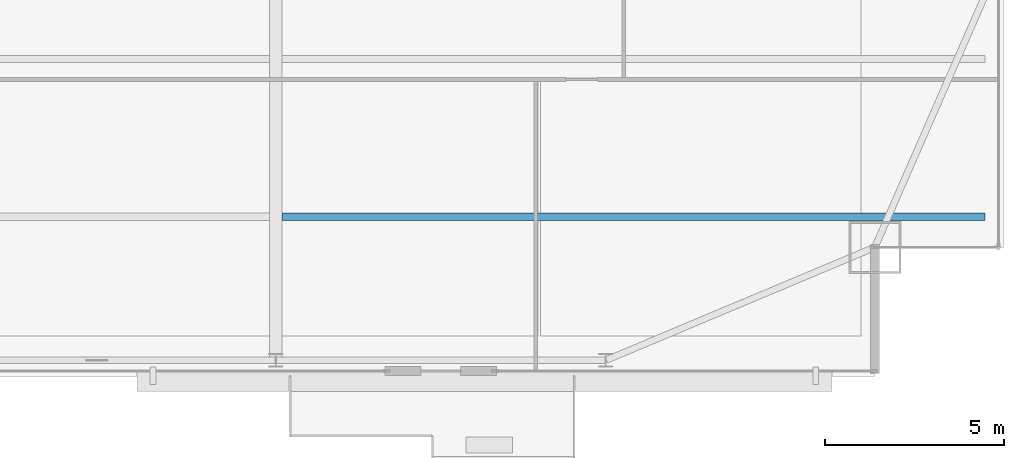
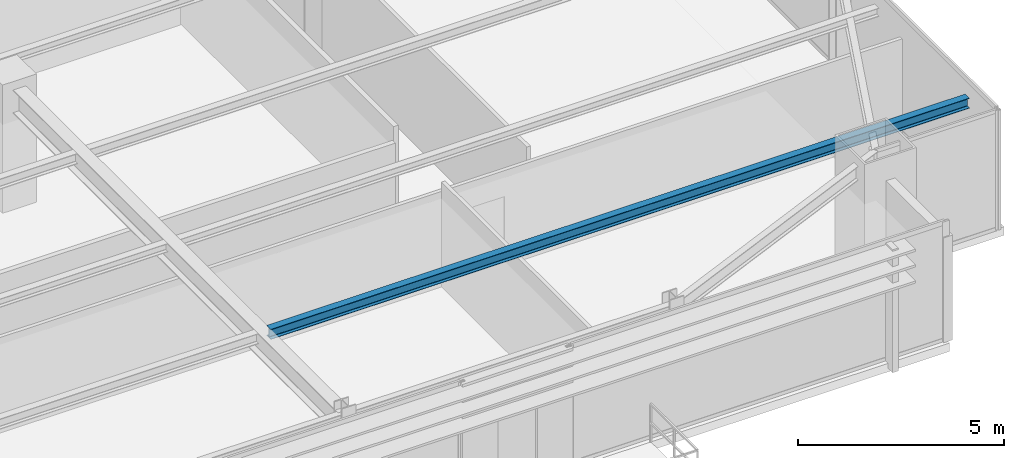
# One storey, part 15 of 34: 1 beam.
"""IFC4 building model written with IfcOpenShell, lengths in metres."""

import ifcopenshell
import ifcopenshell.guid

model = None  # the IFC model being written
_history = None  # IfcOwnerHistory: only IFC2X3 demands one
_inside = {}  # id of a spatial element -> (the spatial element, [elements in it])
_under = {}  # id of a project, library or spatial element -> (it, [spatial elements below it])
_declared = {}  # id of a project -> (the project, [libraries it declares])
_typed = {}  # id of a type object -> (the type object, [elements of that type])
_made_of = {}  # id of a material, layer set ... -> (it, [elements and type objects made of it])


def new_model(schema):
    """Start an empty IFC model of exactly this schema.

    Asked for "IFC4X3", IfcOpenShell would pick the latest addendum, in which some entities
    have other attributes; the version numbers below select the first issue.
    IFC2X3 requires an IfcOwnerHistory on every rooted entity: one is made here for all.
    """
    global model, _history
    if schema == "IFC4X3":
        model = ifcopenshell.file(schema_version=(4, 3, 0, 0))
    else:
        model = ifcopenshell.file(schema=schema)
    _inside.clear()
    _under.clear()
    _declared.clear()
    _typed.clear()
    _made_of.clear()
    _history = None
    if model.schema == "IFC2X3":
        org = make("IfcOrganization", Name="unknown")
        user = make(
            "IfcPersonAndOrganization",
            ThePerson=make("IfcPerson", FamilyName="unknown"),
            TheOrganization=org,
        )
        app = make(
            "IfcApplication",
            ApplicationDeveloper=org,
            Version="unknown",
            ApplicationFullName="unknown",
            ApplicationIdentifier="unknown",
        )
        _history = make(
            "IfcOwnerHistory",
            OwningUser=user,
            OwningApplication=app,
            ChangeAction="ADDED",
            CreationDate=0,
        )
    return model


def make(cls, **values):
    """One entity of the class cls with the attributes given. An attribute that is None is left unset."""
    return model.create_entity(
        cls, **{name: value for name, value in values.items() if value is not None}
    )


def rooted(cls, **values):
    """An entity with a GlobalId (a new one), such as an element, a storey or a relation."""
    return make(cls, GlobalId=ifcopenshell.guid.new(), OwnerHistory=_history, **values)


def si_unit(unit_type, name, prefix=None):
    """IfcSIUnit, for example si_unit("LENGTHUNIT", "METRE", prefix="MILLI")."""
    return make("IfcSIUnit", UnitType=unit_type, Prefix=prefix, Name=name)


def assignment(units):
    """IfcUnitAssignment: the units of a project."""
    return None if units is None else make("IfcUnitAssignment", Units=units)


def point(xyz):
    """IfcCartesianPoint."""
    return None if xyz is None else make("IfcCartesianPoint", Coordinates=xyz)


def direction(xyz):
    """IfcDirection."""
    return None if xyz is None else make("IfcDirection", DirectionRatios=xyz)


def frame(location, z_axis=None, x_axis=None):
    """IfcAxis2Placement3D, a coordinate frame: its origin and axes. An axis left out is left unset."""
    return make(
        "IfcAxis2Placement3D",
        Location=point(location),
        Axis=direction(z_axis),
        RefDirection=direction(x_axis),
    )


def frame_2d(location, x_axis=None):
    """IfcAxis2Placement2D, a coordinate frame in the plane: its origin and x axis."""
    return make(
        "IfcAxis2Placement2D", Location=point(location), RefDirection=direction(x_axis)
    )


def origin():
    """The frame at (0, 0, 0) with its axes left unset."""
    return frame((0.0, 0.0, 0.0))


def origin_2d():
    """The frame at (0, 0) in the plane with its x axis left unset."""
    return frame_2d((0.0, 0.0))


def place(relative_to, where):
    """IfcLocalPlacement: puts the frame where relative to a parent placement (None: the world)."""
    return make(
        "IfcLocalPlacement", PlacementRelTo=relative_to, RelativePlacement=where
    )


def context(
    kind, dimensions, precision=None, world=None, true_north=None, identifier=None
):
    """IfcGeometricRepresentationContext, for example the 3D "Model" context."""
    return make(
        "IfcGeometricRepresentationContext",
        ContextIdentifier=identifier,
        ContextType=kind,
        CoordinateSpaceDimension=dimensions,
        Precision=precision,
        WorldCoordinateSystem=world,
        TrueNorth=true_north,
    )


def subcontext(parent, identifier, kind, view, scale=None):
    """IfcGeometricRepresentationSubContext, for example "Body" below "Model"."""
    return make(
        "IfcGeometricRepresentationSubContext",
        ContextIdentifier=identifier,
        ContextType=kind,
        ParentContext=parent,
        TargetScale=scale,
        TargetView=view,
    )


def project(units=None, contexts=None):
    """IfcProject with its units and contexts."""
    return rooted(
        "IfcProject",
        Name="project",
        RepresentationContexts=contexts,
        UnitsInContext=assignment(units),
    )


def spatial(cls, under=None, at=None, **own):
    """A site, building, storey or space (cls), placed at a placement, below another one or the project."""
    s = rooted(cls, ObjectPlacement=at, **own)
    if under is not None:
        _under.setdefault(under.id(), (under, []))[1].append(s)
    return s


def profile(cls, at=None, kind="AREA", **sizes):
    """A parametric profile (cls). Its sizes go by their IFC names, for example OverallWidth=200.0."""
    return make(cls, ProfileType=kind, Position=at, **sizes)


def i_section(**sizes):
    """IfcIShapeProfileDef."""
    return profile("IfcIShapeProfileDef", **sizes)


def extrude(swept, where, along, depth):
    """IfcExtrudedAreaSolid: the profile swept, set in the frame where, extruded along a direction by depth."""
    return make(
        "IfcExtrudedAreaSolid",
        SweptArea=swept,
        Position=where,
        ExtrudedDirection=direction(along),
        Depth=depth,
    )


def shape(context_of_items, identifier, shape_type, items):
    """IfcShapeRepresentation: the items that make up one representation, for example the "Body"."""
    return make(
        "IfcShapeRepresentation",
        ContextOfItems=context_of_items,
        RepresentationIdentifier=identifier,
        RepresentationType=shape_type,
        Items=items,
    )


def source(mapping_origin, context_of_items, identifier, shape_type, items):
    """IfcRepresentationMap: a shape defined once, which mapped items show again and again."""
    return make(
        "IfcRepresentationMap",
        MappingOrigin=mapping_origin,
        MappedRepresentation=shape(context_of_items, identifier, shape_type, items),
    )


def transform(
    local_origin,
    x_axis=None,
    y_axis=None,
    z_axis=None,
    scale=None,
    scale2=None,
    scale3=None,
    uniform=True,
):
    """IfcCartesianTransformationOperator3D, or its non-uniform kind. x_axis, y_axis, z_axis: its Axis1, 2, 3."""
    if uniform:
        return make(
            "IfcCartesianTransformationOperator3D",
            Axis1=direction(x_axis),
            Axis2=direction(y_axis),
            LocalOrigin=point(local_origin),
            Scale=scale,
            Axis3=direction(z_axis),
        )
    return make(
        "IfcCartesianTransformationOperator3DnonUniform",
        Axis1=direction(x_axis),
        Axis2=direction(y_axis),
        LocalOrigin=point(local_origin),
        Scale=scale,
        Axis3=direction(z_axis),
        Scale2=scale2,
        Scale3=scale3,
    )


def mapped(mapping_source, mapping_target):
    """IfcMappedItem: shows the shape of a source again, moved by a transform."""
    return make(
        "IfcMappedItem", MappingSource=mapping_source, MappingTarget=mapping_target
    )


def material(Name=None, Category=None):
    """IfcMaterial."""
    return make("IfcMaterial", Name=Name, Category=Category)


def material_profile(
    of_material, cross_section, Name=None, Category=None, Priority=None
):
    """IfcMaterialProfile: a cross section and its material."""
    return make(
        "IfcMaterialProfile",
        Name=Name,
        Material=of_material,
        Profile=cross_section,
        Priority=Priority,
        Category=Category,
    )


def profile_set(profiles, Name=None, composite=None):
    """IfcMaterialProfileSet."""
    return make(
        "IfcMaterialProfileSet",
        Name=Name,
        MaterialProfiles=profiles,
        CompositeProfile=composite,
    )


def made_of(thing, what):
    """Note that an element or type object is made of a material, layer set ...; save() writes the relation."""
    if what is not None:
        _made_of.setdefault(what.id(), (what, []))[1].append(thing)
    return thing


def type_object(cls, material=None, **own):
    """A type object (cls), such as IfcWallType, which elements share."""
    return made_of(rooted(cls, **own), material)


def type_shapes(of_type, sources):
    """Give a type object the sources (RepresentationMaps) that its elements show as mapped items."""
    of_type.RepresentationMaps = sources


def element(
    cls,
    number,
    at=None,
    inside=None,
    cuts=None,
    type_object=None,
    material=None,
    context=None,
    identifier="Body",
    shape_type=None,
    held_by="IfcProductDefinitionShape",
    body=None,
    shapes=None,
    **own,
):
    """One element of the class cls, such as IfcWall. Its Tag is "e" and its number.

    at: its placement. inside: the storey or other place that contains it. cuts: it is an
    opening in that element (IfcRelVoidsElement). A single representation is given by context,
    identifier, shape_type and body (its items); several are given by shapes. held_by: the class
    of the entity that holds the representations. save() writes the other relations.
    """
    e = rooted(cls, Tag="e%d" % number, ObjectPlacement=at, **own)
    if body is not None:
        shapes = [shape(context, identifier, shape_type, body)]
    if shapes is not None:
        e.Representation = make(held_by, Representations=shapes)
    if inside is not None:
        _inside.setdefault(inside.id(), (inside, []))[1].append(e)
    if cuts is not None:
        rooted(
            "IfcRelVoidsElement", RelatingBuildingElement=cuts, RelatedOpeningElement=e
        )
    if type_object is not None:
        _typed.setdefault(type_object.id(), (type_object, []))[1].append(e)
    return made_of(e, material)


def aggregate(whole, parts):
    """IfcRelAggregates: a whole, such as a stair, and the parts it consists of."""
    return rooted("IfcRelAggregates", RelatingObject=whole, RelatedObjects=parts)


def save(model, path):
    """Write the relations noted so far, then the file.

    IfcRelAggregates (storeys below a building ...), IfcRelContainedInSpatialStructure (elements
    in a storey), IfcRelDefinesByType, IfcRelAssociatesMaterial and IfcRelDeclares: one each for
    every whole, place, type object, material and project.
    """
    for whole, parts in _under.values():
        aggregate(whole, parts)
    for where, things in _inside.values():
        rooted(
            "IfcRelContainedInSpatialStructure",
            RelatedElements=things,
            RelatingStructure=where,
        )
    for kind, things in _typed.values():
        rooted("IfcRelDefinesByType", RelatedObjects=things, RelatingType=kind)
    for what, things in _made_of.values():
        rooted("IfcRelAssociatesMaterial", RelatedObjects=things, RelatingMaterial=what)
    for by, libraries in _declared.values():
        rooted("IfcRelDeclares", RelatingContext=by, RelatedDefinitions=libraries)
    model.write(path)


model = new_model("IFC4")

# Units and contexts
model_context = context("Model", 3, precision=1e-05, world=origin(), true_north=direction((0.0, 1.0)))
body_context = subcontext(model_context, "Body", "Model", "MODEL_VIEW")
ifc_project = project(units=[si_unit("LENGTHUNIT", "METRE"), si_unit("AREAUNIT", "SQUARE_METRE"), si_unit("VOLUMEUNIT", "CUBIC_METRE"), si_unit("PLANEANGLEUNIT", "RADIAN"), si_unit("MASSUNIT", "GRAM", prefix="KILO")], contexts=[model_context])

# Site, building, storey
site_placement = place(None, origin())
site = spatial("IfcSite", under=ifc_project, at=site_placement, CompositionType="ELEMENT")
building_placement = place(site_placement, origin())
building = spatial("IfcBuilding", under=site, at=building_placement, Name="Varnel Quay Broadcast Tower", CompositionType="ELEMENT")
storey_placement = place(building_placement, frame((0.0, 0.0, 110.60009765625)))
storey = spatial("IfcBuildingStorey", under=building, at=storey_placement, Name="L26", CompositionType="ELEMENT", Elevation=110.60009765625)

# Beam
ifc_material = material(Name="Structural Steel CSA G40.21 350W", Category="steel")
ifc_material_profile = material_profile(ifc_material, i_section(OverallWidth=0.202880859375, OverallDepth=0.302978515625, WebThickness=0.007568359375, FlangeThickness=0.01318359375, FilletRadius=0.011962890625, at=origin_2d()), Name="W310X60")
ifc_profile_set = profile_set([ifc_material_profile], Name="Structural Steel CSA G40.21 350W")
beam_type = type_object("IfcBeamType", Name="Beam_W310X60", PredefinedType="JOIST", material=ifc_profile_set)
shared_shape = source(origin(), body_context, "Body", "SweptSolid", [
    extrude(i_section(OverallWidth=0.202880859375, OverallDepth=0.302978515625, WebThickness=0.007568359375, FlangeThickness=0.01318359375, FilletRadius=0.011962890625, at=origin_2d()), origin(), (0.0, 0.0, 1.0), 19.592041015625),
])
type_shapes(beam_type, [shared_shape])
beam_placement = place(storey_placement, frame((43.37255859375, 8.64990234375, 3.3984375), z_axis=(1.0, 0.0, 0.0), x_axis=(0.0, 1.0, 0.0)))
element("IfcBeam", 1, at=beam_placement, inside=storey, type_object=beam_type, Name="L26 East Floor Joist 1", PredefinedType="JOIST", context=body_context, shape_type="MappedRepresentation", body=[
    mapped(shared_shape, transform((0.0, 0.0, 0.0), x_axis=(1.0, 0.0, 0.0), y_axis=(0.0, 1.0, 0.0), z_axis=(0.0, 0.0, 1.0), scale=1.0)),
])

save(model, "model.ifc")
